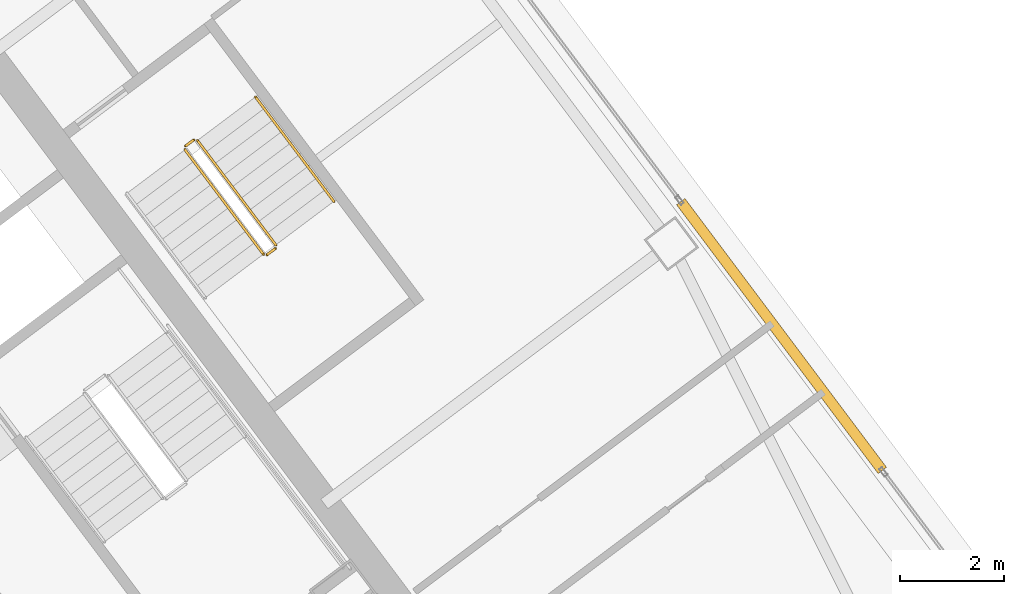
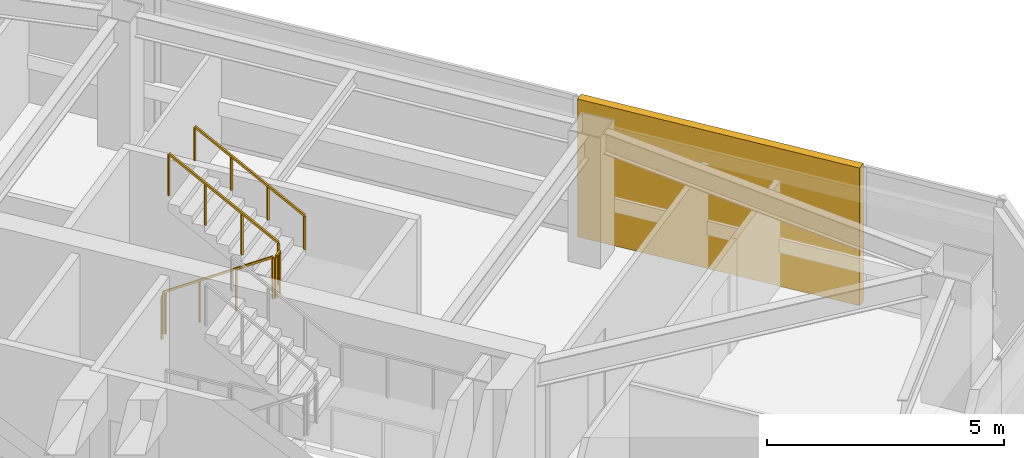
# One storey, part 40 of 41: 5 railings, 1 covering.
"""IFC4 building model written with IfcOpenShell, lengths in metres."""

import ifcopenshell
import ifcopenshell.guid

model = None  # the IFC model being written
_history = None  # IfcOwnerHistory: only IFC2X3 demands one
_inside = {}  # id of a spatial element -> (the spatial element, [elements in it])
_under = {}  # id of a project, library or spatial element -> (it, [spatial elements below it])
_declared = {}  # id of a project -> (the project, [libraries it declares])
_typed = {}  # id of a type object -> (the type object, [elements of that type])
_made_of = {}  # id of a material, layer set ... -> (it, [elements and type objects made of it])


def new_model(schema):
    """Start an empty IFC model of exactly this schema.

    Asked for "IFC4X3", IfcOpenShell would pick the latest addendum, in which some entities
    have other attributes; the version numbers below select the first issue.
    IFC2X3 requires an IfcOwnerHistory on every rooted entity: one is made here for all.
    """
    global model, _history
    if schema == "IFC4X3":
        model = ifcopenshell.file(schema_version=(4, 3, 0, 0))
    else:
        model = ifcopenshell.file(schema=schema)
    _inside.clear()
    _under.clear()
    _declared.clear()
    _typed.clear()
    _made_of.clear()
    _history = None
    if model.schema == "IFC2X3":
        org = make("IfcOrganization", Name="unknown")
        user = make(
            "IfcPersonAndOrganization",
            ThePerson=make("IfcPerson", FamilyName="unknown"),
            TheOrganization=org,
        )
        app = make(
            "IfcApplication",
            ApplicationDeveloper=org,
            Version="unknown",
            ApplicationFullName="unknown",
            ApplicationIdentifier="unknown",
        )
        _history = make(
            "IfcOwnerHistory",
            OwningUser=user,
            OwningApplication=app,
            ChangeAction="ADDED",
            CreationDate=0,
        )
    return model


def make(cls, **values):
    """One entity of the class cls with the attributes given. An attribute that is None is left unset."""
    return model.create_entity(
        cls, **{name: value for name, value in values.items() if value is not None}
    )


def rooted(cls, **values):
    """An entity with a GlobalId (a new one), such as an element, a storey or a relation."""
    return make(cls, GlobalId=ifcopenshell.guid.new(), OwnerHistory=_history, **values)


def si_unit(unit_type, name, prefix=None):
    """IfcSIUnit, for example si_unit("LENGTHUNIT", "METRE", prefix="MILLI")."""
    return make("IfcSIUnit", UnitType=unit_type, Prefix=prefix, Name=name)


def assignment(units):
    """IfcUnitAssignment: the units of a project."""
    return None if units is None else make("IfcUnitAssignment", Units=units)


def point(xyz):
    """IfcCartesianPoint."""
    return None if xyz is None else make("IfcCartesianPoint", Coordinates=xyz)


def direction(xyz):
    """IfcDirection."""
    return None if xyz is None else make("IfcDirection", DirectionRatios=xyz)


def frame(location, z_axis=None, x_axis=None):
    """IfcAxis2Placement3D, a coordinate frame: its origin and axes. An axis left out is left unset."""
    return make(
        "IfcAxis2Placement3D",
        Location=point(location),
        Axis=direction(z_axis),
        RefDirection=direction(x_axis),
    )


def frame_2d(location, x_axis=None):
    """IfcAxis2Placement2D, a coordinate frame in the plane: its origin and x axis."""
    return make(
        "IfcAxis2Placement2D", Location=point(location), RefDirection=direction(x_axis)
    )


def origin():
    """The frame at (0, 0, 0) with its axes left unset."""
    return frame((0.0, 0.0, 0.0))


def origin_2d():
    """The frame at (0, 0) in the plane with its x axis left unset."""
    return frame_2d((0.0, 0.0))


def place(relative_to, where):
    """IfcLocalPlacement: puts the frame where relative to a parent placement (None: the world)."""
    return make(
        "IfcLocalPlacement", PlacementRelTo=relative_to, RelativePlacement=where
    )


def context(
    kind, dimensions, precision=None, world=None, true_north=None, identifier=None
):
    """IfcGeometricRepresentationContext, for example the 3D "Model" context."""
    return make(
        "IfcGeometricRepresentationContext",
        ContextIdentifier=identifier,
        ContextType=kind,
        CoordinateSpaceDimension=dimensions,
        Precision=precision,
        WorldCoordinateSystem=world,
        TrueNorth=true_north,
    )


def subcontext(parent, identifier, kind, view, scale=None):
    """IfcGeometricRepresentationSubContext, for example "Body" below "Model"."""
    return make(
        "IfcGeometricRepresentationSubContext",
        ContextIdentifier=identifier,
        ContextType=kind,
        ParentContext=parent,
        TargetScale=scale,
        TargetView=view,
    )


def project(units=None, contexts=None):
    """IfcProject with its units and contexts."""
    return rooted(
        "IfcProject",
        Name="project",
        RepresentationContexts=contexts,
        UnitsInContext=assignment(units),
    )


def spatial(cls, under=None, at=None, **own):
    """A site, building, storey or space (cls), placed at a placement, below another one or the project."""
    s = rooted(cls, ObjectPlacement=at, **own)
    if under is not None:
        _under.setdefault(under.id(), (under, []))[1].append(s)
    return s


def profile(cls, at=None, kind="AREA", **sizes):
    """A parametric profile (cls). Its sizes go by their IFC names, for example OverallWidth=200.0."""
    return make(cls, ProfileType=kind, Position=at, **sizes)


def rectangle(**sizes):
    """IfcRectangleProfileDef."""
    return profile("IfcRectangleProfileDef", **sizes)


def extrude(swept, where, along, depth):
    """IfcExtrudedAreaSolid: the profile swept, set in the frame where, extruded along a direction by depth."""
    return make(
        "IfcExtrudedAreaSolid",
        SweptArea=swept,
        Position=where,
        ExtrudedDirection=direction(along),
        Depth=depth,
    )


def shape(context_of_items, identifier, shape_type, items):
    """IfcShapeRepresentation: the items that make up one representation, for example the "Body"."""
    return make(
        "IfcShapeRepresentation",
        ContextOfItems=context_of_items,
        RepresentationIdentifier=identifier,
        RepresentationType=shape_type,
        Items=items,
    )


def material(Name=None, Category=None):
    """IfcMaterial."""
    return make("IfcMaterial", Name=Name, Category=Category)


def layer(
    of_material, thickness, ventilated=None, Name=None, Category=None, Priority=None
):
    """IfcMaterialLayer: one layer of a wall or slab, of a material (None: an air gap)."""
    return make(
        "IfcMaterialLayer",
        Material=of_material,
        LayerThickness=thickness,
        IsVentilated=ventilated,
        Name=Name,
        Category=Category,
        Priority=Priority,
    )


def layer_set(layers, Name=None):
    """IfcMaterialLayerSet."""
    return make("IfcMaterialLayerSet", MaterialLayers=layers, LayerSetName=Name)


def made_of(thing, what):
    """Note that an element or type object is made of a material, layer set ...; save() writes the relation."""
    if what is not None:
        _made_of.setdefault(what.id(), (what, []))[1].append(thing)
    return thing


def type_object(cls, material=None, **own):
    """A type object (cls), such as IfcWallType, which elements share."""
    return made_of(rooted(cls, **own), material)


def element(
    cls,
    number,
    at=None,
    inside=None,
    cuts=None,
    type_object=None,
    material=None,
    context=None,
    identifier="Body",
    shape_type=None,
    held_by="IfcProductDefinitionShape",
    body=None,
    shapes=None,
    **own,
):
    """One element of the class cls, such as IfcWall. Its Tag is "e" and its number.

    at: its placement. inside: the storey or other place that contains it. cuts: it is an
    opening in that element (IfcRelVoidsElement). A single representation is given by context,
    identifier, shape_type and body (its items); several are given by shapes. held_by: the class
    of the entity that holds the representations. save() writes the other relations.
    """
    e = rooted(cls, Tag="e%d" % number, ObjectPlacement=at, **own)
    if body is not None:
        shapes = [shape(context, identifier, shape_type, body)]
    if shapes is not None:
        e.Representation = make(held_by, Representations=shapes)
    if inside is not None:
        _inside.setdefault(inside.id(), (inside, []))[1].append(e)
    if cuts is not None:
        rooted(
            "IfcRelVoidsElement", RelatingBuildingElement=cuts, RelatedOpeningElement=e
        )
    if type_object is not None:
        _typed.setdefault(type_object.id(), (type_object, []))[1].append(e)
    return made_of(e, material)


def aggregate(whole, parts):
    """IfcRelAggregates: a whole, such as a stair, and the parts it consists of."""
    return rooted("IfcRelAggregates", RelatingObject=whole, RelatedObjects=parts)


def save(model, path):
    """Write the relations noted so far, then the file.

    IfcRelAggregates (storeys below a building ...), IfcRelContainedInSpatialStructure (elements
    in a storey), IfcRelDefinesByType, IfcRelAssociatesMaterial and IfcRelDeclares: one each for
    every whole, place, type object, material and project.
    """
    for whole, parts in _under.values():
        aggregate(whole, parts)
    for where, things in _inside.values():
        rooted(
            "IfcRelContainedInSpatialStructure",
            RelatedElements=things,
            RelatingStructure=where,
        )
    for kind, things in _typed.values():
        rooted("IfcRelDefinesByType", RelatedObjects=things, RelatingType=kind)
    for what, things in _made_of.values():
        rooted("IfcRelAssociatesMaterial", RelatedObjects=things, RelatingMaterial=what)
    for by, libraries in _declared.values():
        rooted("IfcRelDeclares", RelatingContext=by, RelatedDefinitions=libraries)
    model.write(path)


model = new_model("IFC4")

# Units and contexts
model_context = context("Model", 3, precision=1e-05, world=origin(), true_north=direction((0.0, 1.0)))
body_context = subcontext(model_context, "Body", "Model", "MODEL_VIEW")
ifc_project = project(units=[si_unit("LENGTHUNIT", "METRE"), si_unit("AREAUNIT", "SQUARE_METRE"), si_unit("VOLUMEUNIT", "CUBIC_METRE"), si_unit("PLANEANGLEUNIT", "RADIAN"), si_unit("MASSUNIT", "GRAM", prefix="KILO")], contexts=[model_context])

# Site, building, storey
site_placement = place(None, origin())
site = spatial("IfcSite", under=ifc_project, at=site_placement, CompositionType="ELEMENT")
building_placement = place(site_placement, origin())
building = spatial("IfcBuilding", under=site, at=building_placement, Name="Tashvorn Skyway Center", CompositionType="ELEMENT")
storey_placement = place(building_placement, frame((0.0, 0.0, 174.75)))
storey = spatial("IfcBuildingStorey", under=building, at=storey_placement, Name="L47", CompositionType="ELEMENT", Elevation=174.75)

# Covering
ifc_material_1 = material(Name="Precast concrete C40/50", Category="concrete")
ifc_layer = layer(ifc_material_1, 0.199951171875)
ifc_layer_set = layer_set([ifc_layer], Name="Precast concrete C40/50")
covering_type = type_object("IfcCoveringType", Name="COV-BRACE-CLAD", PredefinedType="CLADDING", material=ifc_layer_set)
covering_placement = place(storey_placement, frame((132.283935546875, 35.587890625, 0.0), z_axis=(0.0, 0.0, 1.0), x_axis=(0.600000004945, -0.799999996291, 0.0)))
element("IfcCovering", 1, at=covering_placement, inside=storey, type_object=covering_type, Name="Tower 2 L47 East Unitised Curtain Wall Mega-Brace Cladding Band 2", PredefinedType="CLADDING", context=body_context, shape_type="SweptSolid", body=[
    extrude(rectangle(XDim=6.47998046875, YDim=0.199951171875, at=origin_2d()), origin(), (0.0, 0.0, 1.0), 3.550048828125),
])

# Railings
ifc_material_2 = material(Name="Brushed stainless steel 316", Category="steel")
railing_type_1 = type_object("IfcRailingType", Name="RAIL-HAND-920", PredefinedType="HANDRAIL", material=ifc_material_2)
railing_1_placement = place(storey_placement, frame((123.64794921875, 38.18603515625, 1.952392578125)))
element("IfcRailing", 2, at=railing_1_placement, inside=storey, type_object=railing_type_1, Name="L47 ST-T2-3 stair handrail 2", PredefinedType="HANDRAIL", context=body_context, shape_type="SweptSolid", body=[
    extrude(rectangle(XDim=0.048095703125, YDim=0.048095703125, at=origin_2d()), frame((0.0, 0.0, 0.8759765625), z_axis=(-0.50674661542, 0.675634878657, 0.535467439255), x_axis=(-0.79998837352, -0.60001550166, 0.0)), (0.0, 0.0, 1.0), 2.983642578125),
    extrude(rectangle(XDim=0.0419921875, YDim=0.0419921875, at=origin_2d()), origin(), (0.0, 0.0, 1.0), 0.851806640625),
    extrude(rectangle(XDim=0.0419921875, YDim=0.0419921875, at=origin_2d()), frame((-0.50390625, 0.671875, 0.532470703125)), (0.0, 0.0, 1.0), 0.851806640625),
    extrude(rectangle(XDim=0.0419921875, YDim=0.0419921875, at=origin_2d()), frame((-1.008056640625, 1.343994140625, 1.065185546875)), (0.0, 0.0, 1.0), 0.851806640625),
    extrude(rectangle(XDim=0.0419921875, YDim=0.0419921875, at=origin_2d()), frame((-1.511962890625, 2.015869140625, 1.59765625)), (0.0, 0.0, 1.0), 0.851806640625),
])
ifc_material_3 = material(Name="Painted galvanized steel S355", Category="steel")
railing_type_2 = type_object("IfcRailingType", Name="RAIL-STGUARD-1100", PredefinedType="GUARDRAIL", material=ifc_material_3)
railing_2_placement = place(storey_placement, frame((120.77587890625, 39.181884765625, 0.177490234375)))
element("IfcRailing", 3, at=railing_2_placement, inside=storey, type_object=railing_type_2, Name="L47 ST-T2-3 stair guard 1", PredefinedType="GUARDRAIL", context=body_context, shape_type="SweptSolid", body=[
    extrude(rectangle(XDim=0.048095703125, YDim=0.048095703125, at=origin_2d()), frame((0.0, 0.0, 1.076171875), z_axis=(0.506829628838, -0.67563646195, 0.535386868177), x_axis=(0.799941867976, 0.600077501544, 0.0)), (0.0, 0.0, 1.0), 2.983642578125),
    extrude(rectangle(XDim=0.0419921875, YDim=0.0419921875, at=origin_2d()), origin(), (0.0, 0.0, 1.0), 1.052001953125),
    extrude(rectangle(XDim=0.0419921875, YDim=0.0419921875, at=origin_2d()), frame((0.504150390625, -0.671875, 0.532470703125)), (0.0, 0.0, 1.0), 1.052001953125),
    extrude(rectangle(XDim=0.0419921875, YDim=0.0419921875, at=origin_2d()), frame((1.008056640625, -1.343994140625, 1.06494140625)), (0.0, 0.0, 1.0), 1.052001953125),
    extrude(rectangle(XDim=0.0419921875, YDim=0.0419921875, at=origin_2d()), frame((1.51220703125, -2.015869140625, 1.597412109375)), (0.0, 0.0, 1.0), 1.052001953125),
])
railing_3_placement = place(storey_placement, frame((122.35791015625, 37.156005859375, 1.77490234375)))
element("IfcRailing", 4, at=railing_3_placement, inside=storey, type_object=railing_type_2, Name="L47 ST-T2-3 stair guard 2", PredefinedType="GUARDRAIL", context=body_context, shape_type="SweptSolid", body=[
    extrude(rectangle(XDim=0.048095703125, YDim=0.048095703125, at=origin_2d()), frame((0.0, 0.0, 1.076171875), z_axis=(0.800585412921, 0.599218655098, 0.0), x_axis=(-0.599218655098, 0.800585412921, 0.0)), (0.0, 0.0, 1.0), 0.199951171875),
    extrude(rectangle(XDim=0.0419921875, YDim=0.0419921875, at=origin_2d()), origin(), (0.0, 0.0, 1.0), 1.052001953125),
    extrude(rectangle(XDim=0.0419921875, YDim=0.0419921875, at=origin_2d()), frame((0.16015625, 0.119873046875, 0.0)), (0.0, 0.0, 1.0), 1.052001953125),
])
railing_4_placement = place(storey_placement, frame((122.528076171875, 37.345947265625, 1.952392578125)))
element("IfcRailing", 5, at=railing_4_placement, inside=storey, type_object=railing_type_2, Name="L47 ST-T2-3 stair guard 3", PredefinedType="GUARDRAIL", context=body_context, shape_type="SweptSolid", body=[
    extrude(rectangle(XDim=0.048095703125, YDim=0.048095703125, at=origin_2d()), frame((0.0, 0.0, 1.076171875), z_axis=(-0.506718600913, 0.675679348675, 0.535437836974), x_axis=(-0.800023250257, -0.599968998406, 0.0)), (0.0, 0.0, 1.0), 2.98388671875),
    extrude(rectangle(XDim=0.0419921875, YDim=0.0419921875, at=origin_2d()), origin(), (0.0, 0.0, 1.0), 1.052001953125),
    extrude(rectangle(XDim=0.0419921875, YDim=0.0419921875, at=origin_2d()), frame((-0.50390625, 0.672119140625, 0.532470703125)), (0.0, 0.0, 1.0), 1.052001953125),
    extrude(rectangle(XDim=0.0419921875, YDim=0.0419921875, at=origin_2d()), frame((-1.008056640625, 1.343994140625, 1.065185546875)), (0.0, 0.0, 1.0), 1.052001953125),
    extrude(rectangle(XDim=0.0419921875, YDim=0.0419921875, at=origin_2d()), frame((-1.511962890625, 2.01611328125, 1.59765625)), (0.0, 0.0, 1.0), 1.052001953125),
])
railing_5_placement = place(storey_placement, frame((120.785888671875, 39.251953125, 0.0)))
element("IfcRailing", 6, at=railing_5_placement, inside=storey, type_object=railing_type_2, Name="L47 ST-T2-3 stair guard 4", PredefinedType="GUARDRAIL", context=body_context, shape_type="SweptSolid", body=[
    extrude(rectangle(XDim=0.048095703125, YDim=0.048095703125, at=origin_2d()), frame((0.0, 0.0, 1.076171875), z_axis=(0.8, 0.6, 0.0), x_axis=(-0.6, 0.8, 0.0)), (0.0, 0.0, 1.0), 0.2001953125),
    extrude(rectangle(XDim=0.0419921875, YDim=0.0419921875, at=origin_2d()), origin(), (0.0, 0.0, 1.0), 1.052001953125),
    extrude(rectangle(XDim=0.0419921875, YDim=0.0419921875, at=origin_2d()), frame((0.16015625, 0.1201171875, 0.0)), (0.0, 0.0, 1.0), 1.052001953125),
])

save(model, "model.ifc")
